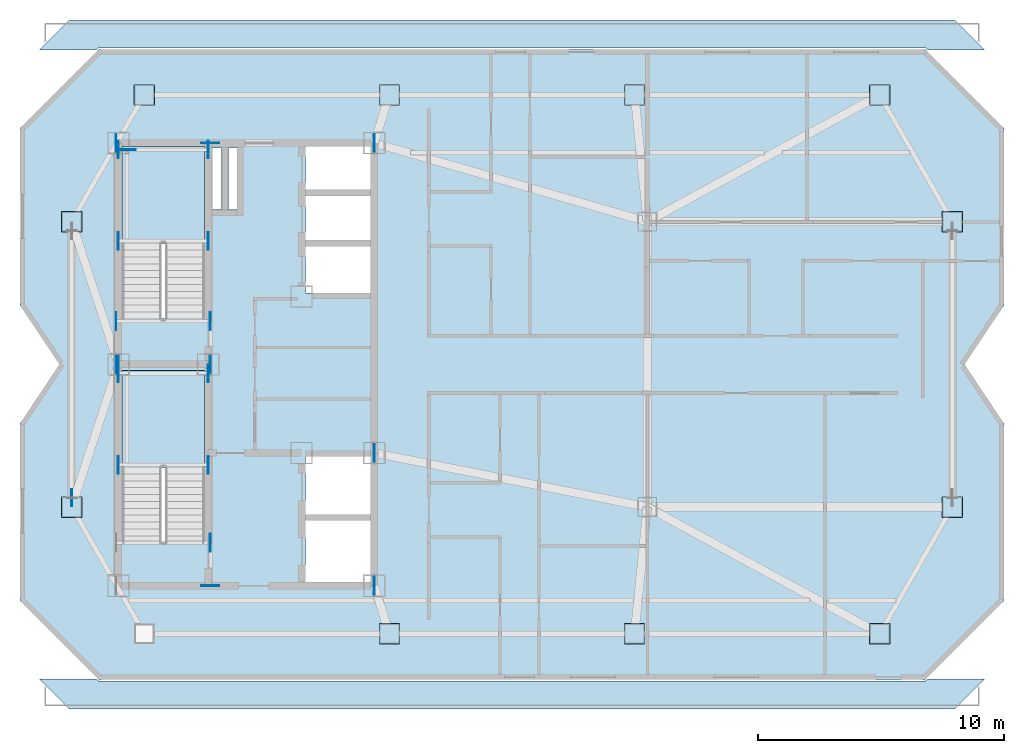
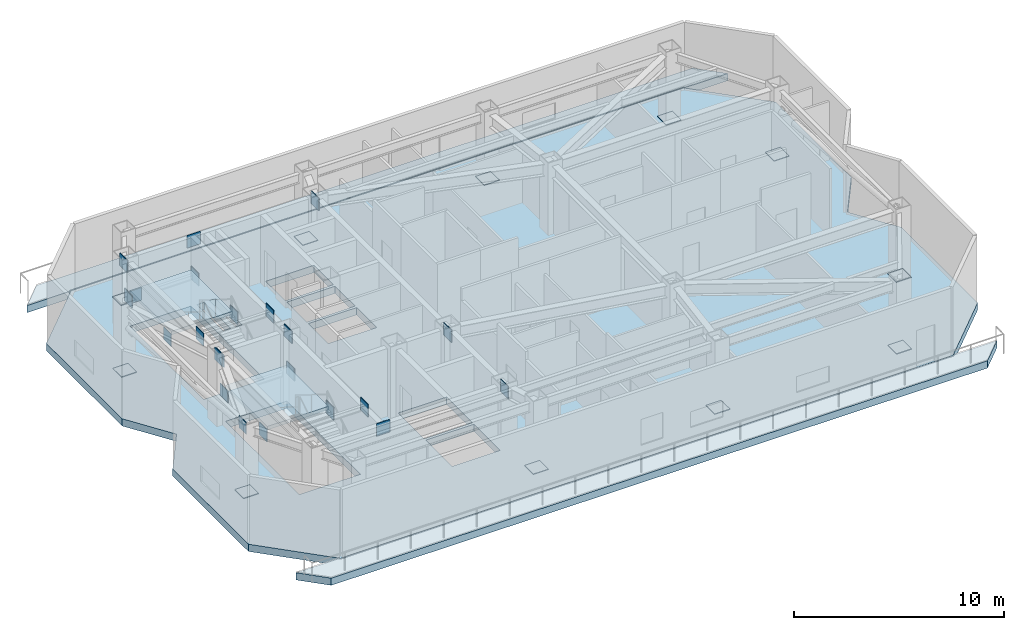
# One storey, part 2 of 12: 33 plates, 5 slabs, 2 elements without a shape of their own.
"""IFC4 building model written with IfcOpenShell, lengths in metres."""

import ifcopenshell
import ifcopenshell.guid

model = None  # the IFC model being written
_history = None  # IfcOwnerHistory: only IFC2X3 demands one
_inside = {}  # id of a spatial element -> (the spatial element, [elements in it])
_under = {}  # id of a project, library or spatial element -> (it, [spatial elements below it])
_declared = {}  # id of a project -> (the project, [libraries it declares])
_typed = {}  # id of a type object -> (the type object, [elements of that type])
_made_of = {}  # id of a material, layer set ... -> (it, [elements and type objects made of it])


def new_model(schema):
    """Start an empty IFC model of exactly this schema.

    Asked for "IFC4X3", IfcOpenShell would pick the latest addendum, in which some entities
    have other attributes; the version numbers below select the first issue.
    IFC2X3 requires an IfcOwnerHistory on every rooted entity: one is made here for all.
    """
    global model, _history
    if schema == "IFC4X3":
        model = ifcopenshell.file(schema_version=(4, 3, 0, 0))
    else:
        model = ifcopenshell.file(schema=schema)
    _inside.clear()
    _under.clear()
    _declared.clear()
    _typed.clear()
    _made_of.clear()
    _history = None
    if model.schema == "IFC2X3":
        org = make("IfcOrganization", Name="unknown")
        user = make(
            "IfcPersonAndOrganization",
            ThePerson=make("IfcPerson", FamilyName="unknown"),
            TheOrganization=org,
        )
        app = make(
            "IfcApplication",
            ApplicationDeveloper=org,
            Version="unknown",
            ApplicationFullName="unknown",
            ApplicationIdentifier="unknown",
        )
        _history = make(
            "IfcOwnerHistory",
            OwningUser=user,
            OwningApplication=app,
            ChangeAction="ADDED",
            CreationDate=0,
        )
    return model


def make(cls, **values):
    """One entity of the class cls with the attributes given. An attribute that is None is left unset."""
    return model.create_entity(
        cls, **{name: value for name, value in values.items() if value is not None}
    )


def rooted(cls, **values):
    """An entity with a GlobalId (a new one), such as an element, a storey or a relation."""
    return make(cls, GlobalId=ifcopenshell.guid.new(), OwnerHistory=_history, **values)


def si_unit(unit_type, name, prefix=None):
    """IfcSIUnit, for example si_unit("LENGTHUNIT", "METRE", prefix="MILLI")."""
    return make("IfcSIUnit", UnitType=unit_type, Prefix=prefix, Name=name)


def assignment(units):
    """IfcUnitAssignment: the units of a project."""
    return None if units is None else make("IfcUnitAssignment", Units=units)


def point(xyz):
    """IfcCartesianPoint."""
    return None if xyz is None else make("IfcCartesianPoint", Coordinates=xyz)


def direction(xyz):
    """IfcDirection."""
    return None if xyz is None else make("IfcDirection", DirectionRatios=xyz)


def frame(location, z_axis=None, x_axis=None):
    """IfcAxis2Placement3D, a coordinate frame: its origin and axes. An axis left out is left unset."""
    return make(
        "IfcAxis2Placement3D",
        Location=point(location),
        Axis=direction(z_axis),
        RefDirection=direction(x_axis),
    )


def frame_2d(location, x_axis=None):
    """IfcAxis2Placement2D, a coordinate frame in the plane: its origin and x axis."""
    return make(
        "IfcAxis2Placement2D", Location=point(location), RefDirection=direction(x_axis)
    )


def origin():
    """The frame at (0, 0, 0) with its axes left unset."""
    return frame((0.0, 0.0, 0.0))


def origin_2d():
    """The frame at (0, 0) in the plane with its x axis left unset."""
    return frame_2d((0.0, 0.0))


def place(relative_to, where):
    """IfcLocalPlacement: puts the frame where relative to a parent placement (None: the world)."""
    return make(
        "IfcLocalPlacement", PlacementRelTo=relative_to, RelativePlacement=where
    )


def context(
    kind, dimensions, precision=None, world=None, true_north=None, identifier=None
):
    """IfcGeometricRepresentationContext, for example the 3D "Model" context."""
    return make(
        "IfcGeometricRepresentationContext",
        ContextIdentifier=identifier,
        ContextType=kind,
        CoordinateSpaceDimension=dimensions,
        Precision=precision,
        WorldCoordinateSystem=world,
        TrueNorth=true_north,
    )


def subcontext(parent, identifier, kind, view, scale=None):
    """IfcGeometricRepresentationSubContext, for example "Body" below "Model"."""
    return make(
        "IfcGeometricRepresentationSubContext",
        ContextIdentifier=identifier,
        ContextType=kind,
        ParentContext=parent,
        TargetScale=scale,
        TargetView=view,
    )


def project(units=None, contexts=None):
    """IfcProject with its units and contexts."""
    return rooted(
        "IfcProject",
        Name="project",
        RepresentationContexts=contexts,
        UnitsInContext=assignment(units),
    )


def spatial(cls, under=None, at=None, **own):
    """A site, building, storey or space (cls), placed at a placement, below another one or the project."""
    s = rooted(cls, ObjectPlacement=at, **own)
    if under is not None:
        _under.setdefault(under.id(), (under, []))[1].append(s)
    return s


def polyline(points):
    """IfcPolyline through the points."""
    return make("IfcPolyline", Points=[point(p) for p in points])


def profile(cls, at=None, kind="AREA", **sizes):
    """A parametric profile (cls). Its sizes go by their IFC names, for example OverallWidth=200.0."""
    return make(cls, ProfileType=kind, Position=at, **sizes)


def rectangle(**sizes):
    """IfcRectangleProfileDef."""
    return profile("IfcRectangleProfileDef", **sizes)


def outline(outer, holes=None, kind="AREA"):
    """IfcArbitraryClosedProfileDef: a profile drawn as a closed curve; with holes, ...WithVoids."""
    if holes is None:
        return make("IfcArbitraryClosedProfileDef", ProfileType=kind, OuterCurve=outer)
    return make(
        "IfcArbitraryProfileDefWithVoids",
        ProfileType=kind,
        OuterCurve=outer,
        InnerCurves=holes,
    )


def extrude(swept, where, along, depth):
    """IfcExtrudedAreaSolid: the profile swept, set in the frame where, extruded along a direction by depth."""
    return make(
        "IfcExtrudedAreaSolid",
        SweptArea=swept,
        Position=where,
        ExtrudedDirection=direction(along),
        Depth=depth,
    )


def shape(context_of_items, identifier, shape_type, items):
    """IfcShapeRepresentation: the items that make up one representation, for example the "Body"."""
    return make(
        "IfcShapeRepresentation",
        ContextOfItems=context_of_items,
        RepresentationIdentifier=identifier,
        RepresentationType=shape_type,
        Items=items,
    )


def material(Name=None, Category=None):
    """IfcMaterial."""
    return make("IfcMaterial", Name=Name, Category=Category)


def layer(
    of_material, thickness, ventilated=None, Name=None, Category=None, Priority=None
):
    """IfcMaterialLayer: one layer of a wall or slab, of a material (None: an air gap)."""
    return make(
        "IfcMaterialLayer",
        Material=of_material,
        LayerThickness=thickness,
        IsVentilated=ventilated,
        Name=Name,
        Category=Category,
        Priority=Priority,
    )


def layer_set(layers, Name=None):
    """IfcMaterialLayerSet."""
    return make("IfcMaterialLayerSet", MaterialLayers=layers, LayerSetName=Name)


def made_of(thing, what):
    """Note that an element or type object is made of a material, layer set ...; save() writes the relation."""
    if what is not None:
        _made_of.setdefault(what.id(), (what, []))[1].append(thing)
    return thing


def type_object(cls, material=None, **own):
    """A type object (cls), such as IfcWallType, which elements share."""
    return made_of(rooted(cls, **own), material)


def element(
    cls,
    number,
    at=None,
    inside=None,
    cuts=None,
    type_object=None,
    material=None,
    context=None,
    identifier="Body",
    shape_type=None,
    held_by="IfcProductDefinitionShape",
    body=None,
    shapes=None,
    **own,
):
    """One element of the class cls, such as IfcWall. Its Tag is "e" and its number.

    at: its placement. inside: the storey or other place that contains it. cuts: it is an
    opening in that element (IfcRelVoidsElement). A single representation is given by context,
    identifier, shape_type and body (its items); several are given by shapes. held_by: the class
    of the entity that holds the representations. save() writes the other relations.
    """
    e = rooted(cls, Tag="e%d" % number, ObjectPlacement=at, **own)
    if body is not None:
        shapes = [shape(context, identifier, shape_type, body)]
    if shapes is not None:
        e.Representation = make(held_by, Representations=shapes)
    if inside is not None:
        _inside.setdefault(inside.id(), (inside, []))[1].append(e)
    if cuts is not None:
        rooted(
            "IfcRelVoidsElement", RelatingBuildingElement=cuts, RelatedOpeningElement=e
        )
    if type_object is not None:
        _typed.setdefault(type_object.id(), (type_object, []))[1].append(e)
    return made_of(e, material)


def aggregate(whole, parts):
    """IfcRelAggregates: a whole, such as a stair, and the parts it consists of."""
    return rooted("IfcRelAggregates", RelatingObject=whole, RelatedObjects=parts)


def save(model, path):
    """Write the relations noted so far, then the file.

    IfcRelAggregates (storeys below a building ...), IfcRelContainedInSpatialStructure (elements
    in a storey), IfcRelDefinesByType, IfcRelAssociatesMaterial and IfcRelDeclares: one each for
    every whole, place, type object, material and project.
    """
    for whole, parts in _under.values():
        aggregate(whole, parts)
    for where, things in _inside.values():
        rooted(
            "IfcRelContainedInSpatialStructure",
            RelatedElements=things,
            RelatingStructure=where,
        )
    for kind, things in _typed.values():
        rooted("IfcRelDefinesByType", RelatedObjects=things, RelatingType=kind)
    for what, things in _made_of.values():
        rooted("IfcRelAssociatesMaterial", RelatedObjects=things, RelatingMaterial=what)
    for by, libraries in _declared.values():
        rooted("IfcRelDeclares", RelatingContext=by, RelatedDefinitions=libraries)
    model.write(path)


model = new_model("IFC4")

# Units and contexts
model_context = context("Model", 3, precision=1e-05, world=origin(), true_north=direction((0.0, 1.0)))
body_context = subcontext(model_context, "Body", "Model", "MODEL_VIEW")
ifc_project = project(units=[si_unit("LENGTHUNIT", "METRE"), si_unit("AREAUNIT", "SQUARE_METRE"), si_unit("VOLUMEUNIT", "CUBIC_METRE"), si_unit("PLANEANGLEUNIT", "RADIAN"), si_unit("MASSUNIT", "GRAM", prefix="KILO")], contexts=[model_context])

# Site, building, storey
site_placement = place(None, origin())
site = spatial("IfcSite", under=ifc_project, at=site_placement, CompositionType="ELEMENT")
building_placement = place(site_placement, origin())
building = spatial("IfcBuilding", under=site, at=building_placement, Name="Khamvora Tower", CompositionType="ELEMENT")
storey_placement = place(building_placement, frame((0.0, 0.0, 286.25)))
storey = spatial("IfcBuildingStorey", under=building, at=storey_placement, Name="L73", CompositionType="ELEMENT", Elevation=286.25)

# Plates
ifc_material_1 = material(Name="Steel S355", Category="steel")
ifc_layer_1 = layer(ifc_material_1, 0.02490234375)
ifc_layer_set_1 = layer_set([ifc_layer_1], Name="Steel S355")
plate_type_1 = type_object("IfcPlateType", Name="PL-CAP-25", PredefinedType="SHEET", material=ifc_layer_set_1)
for number, where, z_axis, x_axis, name in (
    (1, (40.02001953125, 17.050048828125, -0.00048828125), (0.0, 0.0, 1.0), (1.0, 0.0, 0.0), "L73 hollow section steel end cap plate 0312"),
    (2, (49.97998046875, 17.050048828125, -0.00048828125), (0.0, 0.0, 1.0), (1.0, 0.0, 0.0), "L73 hollow section steel end cap plate 0314"),
    (3, (59.949951171875, 17.050048828125, -0.00048828125), (0.0, 0.0, 1.0), (1.0, 0.0, 0.0), "L73 hollow section steel end cap plate 0316"),
    (4, (30.050048828125, 38.949951171875, -0.00048828125), (0.0, 0.0, 1.0), (1.0, 0.0, 0.0), "L73 hollow section steel end cap plate 0318"),
    (5, (40.02001953125, 38.949951171875, -0.00048828125), (0.0, 0.0, 1.0), (1.0, 0.0, 0.0), "L73 hollow section steel end cap plate 0320"),
    (6, (49.97998046875, 38.949951171875, -0.00048828125), (0.0, 0.0, 1.0), (1.0, 0.0, 0.0), "L73 hollow section steel end cap plate 0322"),
    (7, (59.949951171875, 38.949951171875, -0.00048828125), (0.0, 0.0, 1.0), (1.0, 0.0, 0.0), "L73 hollow section steel end cap plate 0324"),
    (8, (27.10009765625, 22.199951171875, -0.00048828125), (0.0, 0.0, 1.0), (1.0, 0.0, 0.0), "L73 hollow section steel end cap plate 0326"),
    (9, (27.10009765625, 33.800048828125, -0.00048828125), (0.0, 0.0, 1.0), (1.0, 0.0, 0.0), "L73 hollow section steel end cap plate 0328"),
    (10, (62.89990234375, 22.199951171875, -0.00048828125), (0.0, 0.0, 1.0), (1.0, 0.0, 0.0), "L73 hollow section steel end cap plate 0330"),
    (11, (62.89990234375, 33.800048828125, -0.00048828125), (0.0, 0.0, 1.0), (1.0, 0.0, 0.0), "L73 hollow section steel end cap plate 0332"),
):
    element("IfcPlate", number, at=place(storey_placement, frame(where, z_axis=z_axis, x_axis=x_axis)), inside=storey, type_object=plate_type_1, Name=name, PredefinedType="SHEET", context=body_context, shape_type="SweptSolid", body=[
        extrude(rectangle(XDim=0.830078125, YDim=0.830078125, at=origin_2d()), origin(), (0.0, 0.0, 1.0), 0.02490234375),
    ])
ifc_material_2 = material(Name="Steel S460", Category="steel")
ifc_layer_2 = layer(ifc_material_2, 0.034912109375)
ifc_layer_set_2 = layer_set([ifc_layer_2], Name="Steel S460")
plate_type_2 = type_object("IfcPlateType", Name="PL-EMB-35", PredefinedType="SHEET", material=ifc_layer_set_2)
for number, where, z_axis, x_axis, name in (
    (12, (29.0, 23.9150390625, 1.4091796875), (0.0, 0.0, 1.0), (1.0, 0.0, 0.0), "L73 core shear wall cast-in embed plate 2137"),
    (13, (32.64990234375, 23.9150390625, 1.4091796875), (0.0, 0.0, 1.0), (1.0, 0.0, 0.0), "L73 core shear wall cast-in embed plate 2138"),
    (14, (29.0, 27.6298828125, 1.4091796875), (0.0, 0.0, 1.0), (1.0, 0.0, 0.0), "L73 core shear wall cast-in embed plate 2139"),
    (15, (32.64990234375, 27.6298828125, 1.4091796875), (0.0, 0.0, 1.0), (1.0, 0.0, 0.0), "L73 core shear wall cast-in embed plate 2140"),
    (16, (29.0, 33.014892578125, 1.4091796875), (0.0, 0.0, 1.0), (1.0, 0.0, 0.0), "L73 core shear wall cast-in embed plate 2141"),
    (17, (32.64990234375, 33.014892578125, 1.4091796875), (0.0, 0.0, 1.0), (1.0, 0.0, 0.0), "L73 core shear wall cast-in embed plate 2142"),
    (18, (29.0, 36.72998046875, 1.4091796875), (0.0, 0.0, 1.0), (1.0, 0.0, 0.0), "L73 core shear wall cast-in embed plate 2143"),
    (19, (32.64990234375, 36.72998046875, 1.4091796875), (0.0, 0.0, 1.0), (1.0, 0.0, 0.0), "L73 core shear wall cast-in embed plate 2144"),
):
    element("IfcPlate", number, at=place(storey_placement, frame(where, z_axis=z_axis, x_axis=x_axis)), inside=storey, type_object=plate_type_2, Name=name, PredefinedType="SHEET", context=body_context, shape_type="SweptSolid", body=[
        extrude(rectangle(XDim=0.034912109375, YDim=0.719970703125, at=origin_2d()), origin(), (0.0, 0.0, 1.0), 0.719970703125),
    ])
plate_1_placement = place(storey_placement, frame((29.35009765625, 36.72998046875, 1.4091796875), z_axis=(0.0, 0.0, 1.0), x_axis=(1.0, 0.0, 0.0)))
element("IfcPlate", 20, at=plate_1_placement, inside=storey, type_object=plate_type_2, Name="L73 core shear wall cast-in embed plate 2145", PredefinedType="SHEET", context=body_context, shape_type="SweptSolid", body=[
    extrude(rectangle(XDim=0.719970703125, YDim=0.034912109375, at=origin_2d()), origin(), (0.0, 0.0, 1.0), 0.719970703125),
])
for number, where, z_axis, x_axis, name in (
    (21, (39.39990234375, 19.0, 3.2421875), (0.0, 0.0, 1.0), (1.0, 0.0, 0.0), "L73 core shear wall cast-in embed plate 2146"),
    (22, (39.39990234375, 37.0, 3.2421875), (0.0, 0.0, 1.0), (1.0, 0.0, 0.0), "L73 core shear wall cast-in embed plate 2147"),
    (23, (29.0, 28.0, 3.2421875), (0.0, 0.0, 1.0), (1.0, 0.0, 0.0), "L73 core shear wall cast-in embed plate 2148"),
    (24, (39.39990234375, 24.39990234375, 3.2421875), (0.0, 0.0, 1.0), (1.0, 0.0, 0.0), "L73 core shear wall cast-in embed plate 2149"),
    (25, (28.89990234375, 28.0, 3.3232421875), (0.0, 0.0, 1.0), (1.0, 0.0, 0.0), "L73 core shear wall cast-in embed plate 2151"),
    (26, (28.89990234375, 37.0, 3.3232421875), (0.0, 0.0, 1.0), (1.0, 0.0, 0.0), "L73 core shear wall cast-in embed plate 2152"),
):
    element("IfcPlate", number, at=place(storey_placement, frame(where, z_axis=z_axis, x_axis=x_axis)), inside=storey, type_object=plate_type_2, Name=name, PredefinedType="SHEET", context=body_context, shape_type="SweptSolid", body=[
        extrude(rectangle(XDim=0.034912109375, YDim=0.719970703125, at=origin_2d()), origin(), (0.0, 0.0, 1.0), 0.719970703125),
    ])
plate_2_placement = place(storey_placement, frame((32.72998046875, 19.0, 3.3232421875), z_axis=(0.0, 0.0, 1.0), x_axis=(1.0, 0.0, 0.0)))
element("IfcPlate", 27, at=plate_2_placement, inside=storey, type_object=plate_type_2, Name="L73 core shear wall cast-in embed plate 2153", PredefinedType="SHEET", context=body_context, shape_type="SweptSolid", body=[
    extrude(rectangle(XDim=0.719970703125, YDim=0.034912109375, at=origin_2d()), origin(), (0.0, 0.0, 1.0), 0.719970703125),
])
plate_3_placement = place(storey_placement, frame((32.72998046875, 28.0, 3.3232421875), z_axis=(0.0, 0.0, 1.0), x_axis=(1.0, 0.0, 0.0)))
element("IfcPlate", 28, at=plate_3_placement, inside=storey, type_object=plate_type_2, Name="L73 core shear wall cast-in embed plate 2154", PredefinedType="SHEET", context=body_context, shape_type="SweptSolid", body=[
    extrude(rectangle(XDim=0.034912109375, YDim=0.719970703125, at=origin_2d()), origin(), (0.0, 0.0, 1.0), 0.719970703125),
])
plate_4_placement = place(storey_placement, frame((32.72998046875, 37.0, 3.3232421875), z_axis=(0.0, 0.0, 1.0), x_axis=(1.0, 0.0, 0.0)))
element("IfcPlate", 29, at=plate_4_placement, inside=storey, type_object=plate_type_2, Name="L73 core shear wall cast-in embed plate 2155", PredefinedType="SHEET", context=body_context, shape_type="SweptSolid", body=[
    extrude(rectangle(XDim=0.719970703125, YDim=0.034912109375, at=origin_2d()), origin(), (0.0, 0.0, 1.0), 0.719970703125),
])
for number, where, z_axis, x_axis, name in (
    (30, (32.72998046875, 20.75, 3.4638671875), (0.0, 0.0, 1.0), (1.0, 0.0, 0.0), "L73 core shear wall cast-in embed plate 2157"),
    (31, (28.89990234375, 29.75, 3.4638671875), (0.0, 0.0, 1.0), (1.0, 0.0, 0.0), "L73 core shear wall cast-in embed plate 2158"),
    (32, (32.72998046875, 29.75, 3.4638671875), (0.0, 0.0, 1.0), (1.0, 0.0, 0.0), "L73 core shear wall cast-in embed plate 2159"),
):
    element("IfcPlate", number, at=place(storey_placement, frame(where, z_axis=z_axis, x_axis=x_axis)), inside=storey, type_object=plate_type_2, Name=name, PredefinedType="SHEET", context=body_context, shape_type="SweptSolid", body=[
        extrude(rectangle(XDim=0.034912109375, YDim=0.719970703125, at=origin_2d()), origin(), (0.0, 0.0, 1.0), 0.719970703125),
    ])
ifc_layer_3 = layer(ifc_material_2, 0.0400390625)
ifc_layer_set_3 = layer_set([ifc_layer_3], Name="Steel S460")
plate_type_3 = type_object("IfcPlateType", Name="PLT-GUS-40", PredefinedType="SHEET", material=ifc_layer_set_3)
plate_5_placement = place(storey_placement, frame((27.10009765625, 22.5791015625, 3.31005859375), z_axis=(0.0, 0.0, 1.0), x_axis=(0.0, 1.0, 0.0)))
element("IfcPlate", 33, at=plate_5_placement, inside=storey, type_object=plate_type_3, Name="L73 brace connection node gusset plate 0450", PredefinedType="SHEET", context=body_context, shape_type="SweptSolid", body=[
    extrude(rectangle(XDim=0.679931640625, YDim=0.0400390625, at=origin_2d()), origin(), (0.0, 0.0, 1.0), 0.679931640625),
])

# Slabs
ifc_material_3 = material(Name="Concrete C40/50", Category="concrete")
ifc_layer_4 = layer(ifc_material_3, 0.419921875)
ifc_layer_set_4 = layer_set([ifc_layer_4], Name="Concrete C40/50")
slab_type_1 = type_object("IfcSlabType", Name="SLB-BASE-420", PredefinedType="FLOOR", material=ifc_layer_set_4)
slab_1_placement = place(storey_placement, frame((0.0, 0.0, -0.419921875)))
element("IfcSlab", 34, at=slab_1_placement, inside=storey, type_object=slab_type_1, Name="L73 structural floor slab", PredefinedType="FLOOR", context=body_context, shape_type="SweptSolid", body=[
    extrude(outline(polyline([(28.199951171875, 15.199951171875), (61.800048828125, 15.199951171875), (65.0, 18.39990234375), (65.0, 25.60009765625), (63.39990234375, 28.0), (65.0, 30.39990234375), (65.0, 37.60009765625), (61.800048828125, 40.800048828125), (28.199951171875, 40.800048828125), (25.0, 37.60009765625), (25.0, 30.39990234375), (26.60009765625, 28.0), (25.0, 25.60009765625), (25.0, 18.39990234375), (28.199951171875, 15.199951171875)]), holes=[polyline([(32.5, 20.760009765625), (32.5, 27.75), (29.14990234375, 27.75), (29.14990234375, 20.760009765625), (32.5, 20.760009765625)]), polyline([(32.5, 29.860107421875), (32.5, 36.85009765625), (29.14990234375, 36.85009765625), (29.14990234375, 29.860107421875), (32.5, 29.860107421875)]), polyline([(36.60009765625, 19.14990234375), (39.25, 19.14990234375), (39.25, 21.64990234375), (36.60009765625, 21.64990234375), (36.60009765625, 19.14990234375)]), polyline([(36.60009765625, 21.800048828125), (39.25, 21.800048828125), (39.25, 24.25), (36.60009765625, 24.25), (36.60009765625, 21.800048828125)]), polyline([(36.60009765625, 30.89990234375), (39.25, 30.89990234375), (39.25, 32.800048828125), (36.60009765625, 32.800048828125), (36.60009765625, 30.89990234375)]), polyline([(36.60009765625, 32.949951171875), (39.25, 32.949951171875), (39.25, 34.85009765625), (36.60009765625, 34.85009765625), (36.60009765625, 32.949951171875)]), polyline([(36.60009765625, 35.0), (39.25, 35.0), (39.25, 36.85009765625), (36.60009765625, 36.85009765625), (36.60009765625, 35.0)]), polyline([(32.800048828125, 34.300048828125), (33.199951171875, 34.300048828125), (33.199951171875, 36.800048828125), (32.800048828125, 36.800048828125), (32.800048828125, 34.300048828125)]), polyline([(33.47998046875, 34.300048828125), (33.820068359375, 34.300048828125), (33.820068359375, 36.800048828125), (33.47998046875, 36.800048828125), (33.47998046875, 34.300048828125)])]), origin(), (0.0, 0.0, 1.0), 0.419921875),
])
ifc_layer_5 = layer(ifc_material_3, 0.419921875)
ifc_layer_set_5 = layer_set([ifc_layer_5], Name="Concrete C40/50")
slab_type_2 = type_object("IfcSlabType", Name="SLB-GRD-420", PredefinedType="FLOOR", material=ifc_layer_set_5)
slab_2_placement = place(storey_placement, frame((0.0, 0.0, -0.419921875)))
element("IfcSlab", 35, at=slab_2_placement, inside=storey, type_object=slab_type_2, Name="Stepped outdoor roof terrace slab 1", PredefinedType="FLOOR", context=body_context, shape_type="SweptSolid", body=[
    extrude(outline(polyline([(63.0, 14.0), (27.0, 14.0), (25.780029296875, 15.219970703125), (28.094970703125, 15.219970703125), (28.157958984375, 15.157958984375), (28.162109375, 15.154052734375), (28.1669921875, 15.14990234375), (28.172119140625, 15.14697265625), (28.177001953125, 15.14501953125), (28.18310546875, 15.14306640625), (28.18798828125, 15.14111328125), (28.194091796875, 15.139892578125), (28.199951171875, 15.139892578125), (61.800048828125, 15.139892578125), (61.805908203125, 15.139892578125), (61.81201171875, 15.14111328125), (61.81689453125, 15.14306640625), (61.822998046875, 15.14501953125), (61.827880859375, 15.14697265625), (61.8330078125, 15.14990234375), (61.837890625, 15.154052734375), (61.842041015625, 15.157958984375), (61.905029296875, 15.219970703125), (64.219970703125, 15.219970703125), (63.0, 14.0)])), origin(), (0.0, 0.0, 1.0), 0.419921875),
])
slab_3_placement = place(storey_placement, frame((0.0, 0.0, -0.419921875)))
element("IfcSlab", 36, at=slab_3_placement, inside=storey, type_object=slab_type_2, Name="Stepped outdoor roof terrace slab 2", PredefinedType="FLOOR", context=body_context, shape_type="SweptSolid", body=[
    extrude(outline(polyline([(27.0, 42.0), (63.0, 42.0), (64.219970703125, 40.780029296875), (61.905029296875, 40.780029296875), (61.842041015625, 40.842041015625), (61.837890625, 40.845947265625), (61.8330078125, 40.85009765625), (61.827880859375, 40.85302734375), (61.822998046875, 40.85498046875), (61.81689453125, 40.85693359375), (61.81201171875, 40.85888671875), (61.805908203125, 40.860107421875), (61.800048828125, 40.860107421875), (28.199951171875, 40.860107421875), (28.194091796875, 40.860107421875), (28.18798828125, 40.85888671875), (28.18310546875, 40.85693359375), (28.177001953125, 40.85498046875), (28.172119140625, 40.85302734375), (28.1669921875, 40.85009765625), (28.162109375, 40.845947265625), (28.157958984375, 40.842041015625), (28.094970703125, 40.780029296875), (25.780029296875, 40.780029296875), (27.0, 42.0)])), origin(), (0.0, 0.0, 1.0), 0.419921875),
])

# Stair, slab
stair_type_1 = type_object("IfcStairType", Name="STR-ST-01", PredefinedType="HALF_TURN_STAIR", material=ifc_material_3)
stair_1_placement = place(storey_placement, origin())
stair_1 = element("IfcStair", 37, at=stair_1_placement, inside=storey, type_object=stair_type_1, Name="L73 South Tower Exit Stair ST-01", PredefinedType="HALF_TURN_STAIR")
ifc_layer_6 = layer(ifc_material_3, 0.199951171875)
ifc_layer_set_6 = layer_set([ifc_layer_6], Name="Concrete C40/50")
slab_type_3 = type_object("IfcSlabType", Name="SLB-LND-200", PredefinedType="LANDING", material=ifc_layer_set_6)
slab_4_placement = place(storey_placement, frame((0.0, 0.0, 1.89990234375)))
slab_4 = element("IfcSlab", 38, at=slab_4_placement, type_object=slab_type_3, Name="ST-01 landing 1", PredefinedType="LANDING", context=body_context, shape_type="SweptSolid", body=[
    extrude(outline(polyline([(32.5, 23.794921875), (32.5, 27.75), (29.14990234375, 27.75), (29.14990234375, 23.794921875), (32.5, 23.794921875)])), origin(), (0.0, 0.0, 1.0), 0.2001953125),
])
aggregate(stair_1, [slab_4])

stair_type_2 = type_object("IfcStairType", Name="STR-ST-02", PredefinedType="HALF_TURN_STAIR", material=ifc_material_3)
stair_2_placement = place(storey_placement, origin())
stair_2 = element("IfcStair", 39, at=stair_2_placement, inside=storey, type_object=stair_type_2, Name="L73 North Tower Exit Stair ST-02", PredefinedType="HALF_TURN_STAIR")
slab_5_placement = place(storey_placement, frame((0.0, 0.0, 1.89990234375)))
slab_5 = element("IfcSlab", 40, at=slab_5_placement, type_object=slab_type_3, Name="ST-02 landing 1", PredefinedType="LANDING", context=body_context, shape_type="SweptSolid", body=[
    extrude(outline(polyline([(32.5, 32.89501953125), (32.5, 36.85009765625), (29.14990234375, 36.85009765625), (29.14990234375, 32.89501953125), (32.5, 32.89501953125)])), origin(), (0.0, 0.0, 1.0), 0.2001953125),
])
aggregate(stair_2, [slab_5])

save(model, "model.ifc")
